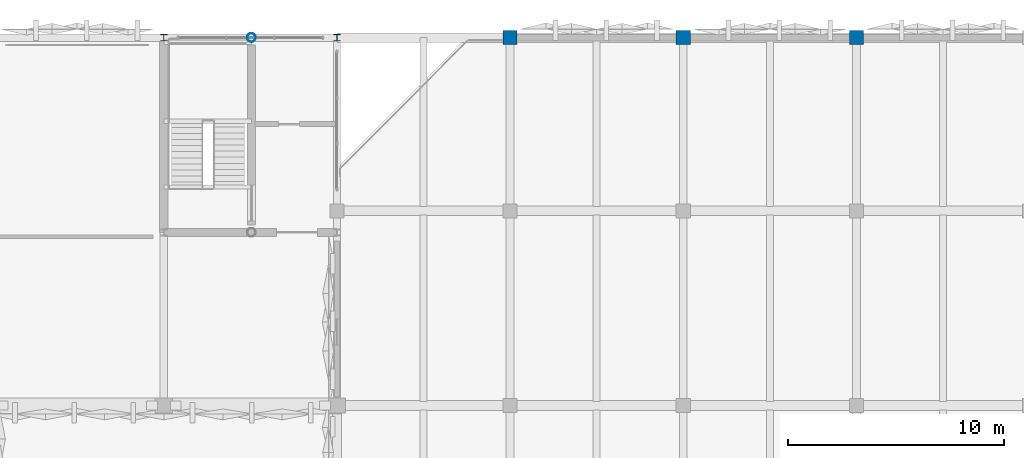
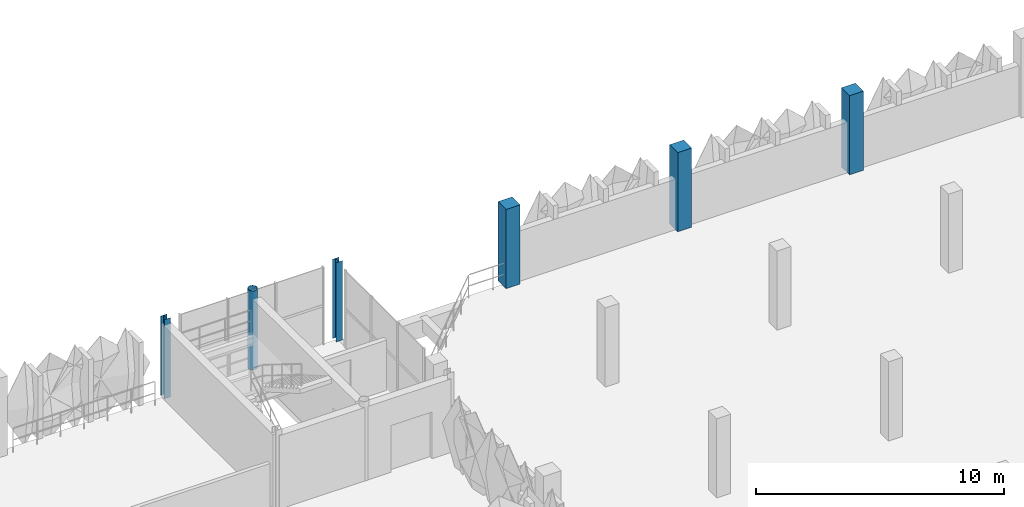
# One storey, part 9 of 96: 6 columns.
"""IFC4 building model written with IfcOpenShell, lengths in metres."""

from ifc_helpers import new_model, si_unit, derived_unit, direction, frame, origin, origin_2d, place, context, subcontext, project, spatial, rectangle, hollow_circle, i_section, extrude, material, material_profile, profile_set, type_object, element, save


model = new_model("IFC4")

# Units and contexts
model_context = context("Model", 3, precision=1e-05, world=origin(), true_north=direction((0.0, 1.0)))
body_context = subcontext(model_context, "Body", "Model", "MODEL_VIEW")
ifc_project = project(units=[si_unit("LENGTHUNIT", "METRE"), si_unit("AREAUNIT", "SQUARE_METRE"), si_unit("VOLUMEUNIT", "CUBIC_METRE"), si_unit("PLANEANGLEUNIT", "RADIAN"), si_unit("MASSUNIT", "GRAM", prefix="KILO"), si_unit("THERMODYNAMICTEMPERATUREUNIT", "KELVIN"), derived_unit("THERMALTRANSMITTANCEUNIT", [(si_unit("POWERUNIT", "WATT"), 1), (si_unit("AREAUNIT", "SQUARE_METRE"), -1), (si_unit("THERMODYNAMICTEMPERATUREUNIT", "KELVIN"), -1)])], contexts=[model_context])

# Site, building, storey
site_placement = place(None, origin())
site = spatial("IfcSite", under=ifc_project, at=site_placement, CompositionType="ELEMENT")
building_placement = place(site_placement, origin())
building = spatial("IfcBuilding", under=site, at=building_placement, Name="Haiyu Intermodal Mobility Hub", CompositionType="ELEMENT")
storey_placement = place(building_placement, frame((0.0, 0.0, 9.5)))
storey = spatial("IfcBuildingStorey", under=building, at=storey_placement, Name="L02", CompositionType="ELEMENT", Elevation=9.5)

# Columns
ifc_material_1 = material(Name="Concrete C40", Category="concrete")
ifc_material_profile_1 = material_profile(ifc_material_1, rectangle(XDim=0.64990234375, YDim=0.64990234375, at=origin_2d()), Name="RC650x650")
ifc_profile_set_1 = profile_set([ifc_material_profile_1], Name="Concrete C40")
column_type_1 = type_object("IfcColumnType", Name="COL-CC09-EXT", PredefinedType="COLUMN", material=ifc_profile_set_1)
for number, where, z_axis, x_axis, name in (
    (1, (170.0, 148.0, 0.0), (0.0, 0.0, 1.0), (1.0, 0.0, 0.0), "Column V6-19S L02"),
    (2, (178.0, 148.0, 0.0), (0.0, 0.0, 1.0), (1.0, 0.0, 0.0), "Column V6-20S L02"),
    (3, (186.0, 148.0, 0.0), (0.0, 0.0, 1.0), (1.0, 0.0, 0.0), "Column V6-21S L02"),
):
    element("IfcColumn", number, at=place(storey_placement, frame(where, z_axis=z_axis, x_axis=x_axis)), inside=storey, type_object=column_type_1, Name=name, PredefinedType="COLUMN", context=body_context, shape_type="SweptSolid", body=[
        extrude(rectangle(XDim=0.64990234375, YDim=0.64990234375, at=origin_2d()), origin(), (0.0, 0.0, 1.0), 3.89990234375),
    ])
ifc_material_2 = material(Name="Steel Q355C", Category="steel")
ifc_material_profile_2 = material_profile(ifc_material_2, hollow_circle(Radius=0.202880859375, WallThickness=0.013916015625, at=origin_2d()), Name="CHS406x14")
ifc_profile_set_2 = profile_set([ifc_material_profile_2], Name="Steel Q355C")
column_type_2 = type_object("IfcColumnType", Name="COL-SC03-EXT", PredefinedType="COLUMN", material=ifc_profile_set_2)
column_placement = place(storey_placement, frame((158.050048828125, 148.0, 0.0), z_axis=(0.0, 0.0, 1.0), x_axis=(1.0, 0.0, 0.0)))
element("IfcColumn", 4, at=column_placement, inside=storey, type_object=column_type_2, Name="Column C4-MN L02", PredefinedType="COLUMN", context=body_context, shape_type="SweptSolid", body=[
    extrude(hollow_circle(Radius=0.202880859375, WallThickness=0.013916015625, at=origin_2d()), origin(), (0.0, 0.0, 1.0), 3.89990234375),
])
ifc_material_profile_3 = material_profile(ifc_material_2, i_section(OverallWidth=0.300048828125, OverallDepth=0.300048828125, WebThickness=0.010009765625, FlangeThickness=0.014892578125, FilletRadius=0.01806640625, at=origin_2d()), Name="HW300x300x10x15")
ifc_profile_set_3 = profile_set([ifc_material_profile_3], Name="Steel Q355C")
column_type_3 = type_object("IfcColumnType", Name="COL-SC07-EXT", PredefinedType="COLUMN", material=ifc_profile_set_3)
for number, where, z_axis, x_axis, name in (
    (5, (154.0, 148.0, 0.0), (0.0, 0.0, 1.0), (1.0, 0.0, 0.0), "Column C4-NW L02"),
    (6, (162.0, 148.0, 0.0), (0.0, 0.0, 1.0), (1.0, 0.0, 0.0), "Column C4-NE L02"),
):
    element("IfcColumn", number, at=place(storey_placement, frame(where, z_axis=z_axis, x_axis=x_axis)), inside=storey, type_object=column_type_3, Name=name, PredefinedType="COLUMN", context=body_context, shape_type="SweptSolid", body=[
        extrude(i_section(OverallWidth=0.300048828125, OverallDepth=0.300048828125, WebThickness=0.010009765625, FlangeThickness=0.014892578125, FilletRadius=0.01806640625, at=origin_2d()), origin(), (0.0, 0.0, 1.0), 3.89990234375),
    ])

save(model, "model.ifc")
